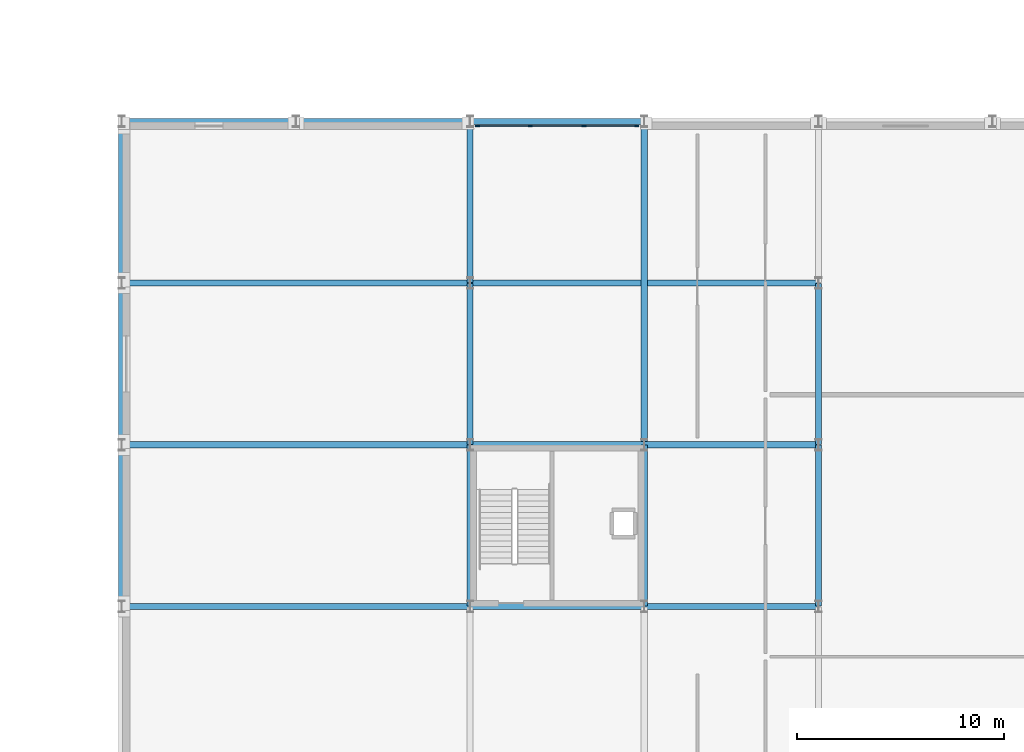
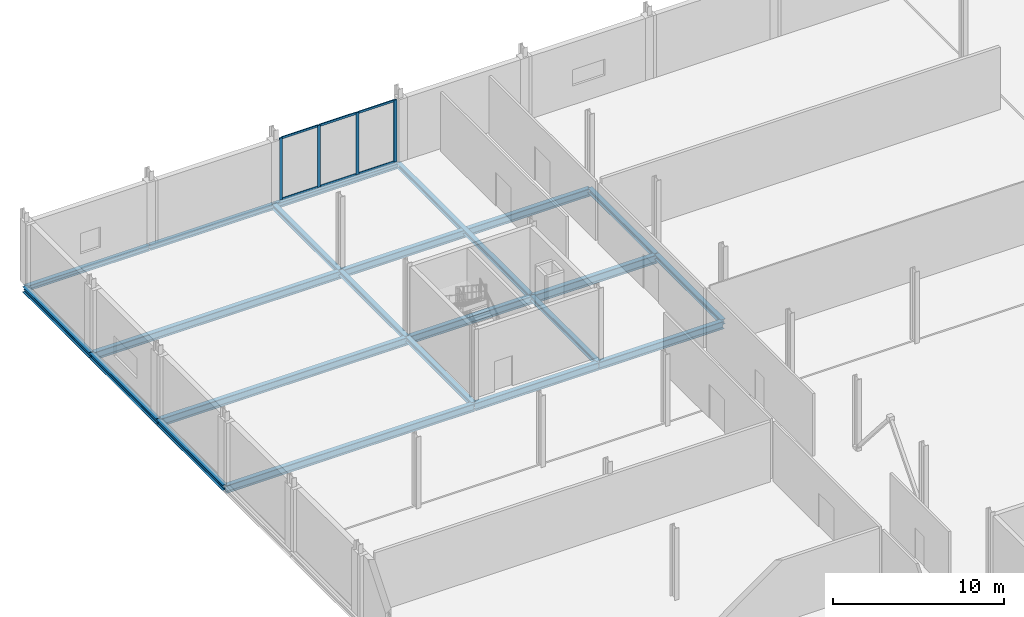
# One storey, part 44 of 105: 21 beams, 10 members, 1 element without a shape of its own.
"""IFC4 building model written with IfcOpenShell, lengths in metres."""

from ifc_helpers import new_model, si_unit, direction, frame, origin, origin_2d, place, context, subcontext, project, spatial, rectangle, i_section, extrude, material, material_profile, profile_set, type_object, element, aggregate, save


model = new_model("IFC4")

# Units and contexts
model_context = context("Model", 3, precision=1e-05, world=origin(), true_north=direction((0.0, 1.0)))
body_context = subcontext(model_context, "Body", "Model", "MODEL_VIEW")
ifc_project = project(units=[si_unit("LENGTHUNIT", "METRE"), si_unit("AREAUNIT", "SQUARE_METRE"), si_unit("VOLUMEUNIT", "CUBIC_METRE"), si_unit("PLANEANGLEUNIT", "RADIAN"), si_unit("MASSUNIT", "GRAM", prefix="KILO")], contexts=[model_context])

# Site, building, storey
site_placement = place(None, origin())
site = spatial("IfcSite", under=ifc_project, at=site_placement, CompositionType="ELEMENT")
building_placement = place(site_placement, origin())
building = spatial("IfcBuilding", under=site, at=building_placement, Name="Nabrawat Pavilion Hospital", CompositionType="ELEMENT")
storey_placement = place(building_placement, frame((0.0, 0.0, 5.10009765625)))
storey = spatial("IfcBuildingStorey", under=building, at=storey_placement, Name="L01", CompositionType="ELEMENT", Elevation=5.10009765625)

# Curtain wall, members
ifc_material_1 = material(Name="Anodised Aluminium", Category="aluminium")
curtain_wall_type = type_object("IfcCurtainWallType", Name="Emergency Concourse Glazed Screen", PredefinedType="USERDEFINED", material=ifc_material_1)
curtain_wall_placement = place(storey_placement, origin())
curtain_wall = element("IfcCurtainWall", 1, at=curtain_wall_placement, inside=storey, type_object=curtain_wall_type, Name="L01 Emergency Concourse Glazed Screen 032", ObjectType="CURTAIN WALL", PredefinedType="USERDEFINED")
ifc_material_profile_1 = material_profile(ifc_material_1, rectangle(XDim=0.070068359375, YDim=0.199951171875, at=origin_2d()), Name="CWM 70x200")
ifc_profile_set_1 = profile_set([ifc_material_profile_1], Name="Anodised Aluminium")
member_type_1 = type_object("IfcMemberType", Name="Emergency Concourse Glazed Screen Mullion CWM 70x200", PredefinedType="MULLION", material=ifc_profile_set_1)
member_1_placement = place(storey_placement, frame((17.155029296875, 116.780029296875, 0.0), z_axis=(0.0, 0.0, 1.0), x_axis=(0.0, 1.0, 0.0)))
member_1 = element("IfcMember", 2, at=member_1_placement, type_object=member_type_1, Name="CW-ED-01 mullion 1", PredefinedType="MULLION", context=body_context, shape_type="SweptSolid", body=[
    extrude(rectangle(XDim=0.070068359375, YDim=0.199951171875, at=origin_2d()), origin(), (0.0, 0.0, 1.0), 4.419921875),
])
member_2_placement = place(storey_placement, frame((19.706787109375, 116.780029296875, 0.0), z_axis=(0.0, 0.0, 1.0), x_axis=(0.0, 1.0, 0.0)))
member_2 = element("IfcMember", 3, at=member_2_placement, type_object=member_type_1, Name="CW-ED-01 mullion 2", PredefinedType="MULLION", context=body_context, shape_type="SweptSolid", body=[
    extrude(rectangle(XDim=0.070068359375, YDim=0.199951171875, at=origin_2d()), origin(), (0.0, 0.0, 1.0), 4.419921875),
])
member_3_placement = place(storey_placement, frame((22.293212890625, 116.780029296875, 0.0), z_axis=(0.0, 0.0, 1.0), x_axis=(0.0, 1.0, 0.0)))
member_3 = element("IfcMember", 4, at=member_3_placement, type_object=member_type_1, Name="CW-ED-01 mullion 3", PredefinedType="MULLION", context=body_context, shape_type="SweptSolid", body=[
    extrude(rectangle(XDim=0.070068359375, YDim=0.199951171875, at=origin_2d()), origin(), (0.0, 0.0, 1.0), 4.419921875),
])
member_4_placement = place(storey_placement, frame((24.844970703125, 116.780029296875, 0.0), z_axis=(0.0, 0.0, 1.0), x_axis=(0.0, 1.0, 0.0)))
member_4 = element("IfcMember", 5, at=member_4_placement, type_object=member_type_1, Name="CW-ED-01 mullion 4", PredefinedType="MULLION", context=body_context, shape_type="SweptSolid", body=[
    extrude(rectangle(XDim=0.070068359375, YDim=0.199951171875, at=origin_2d()), origin(), (0.0, 0.0, 1.0), 4.419921875),
])
ifc_material_profile_2 = material_profile(ifc_material_1, rectangle(XDim=0.070068359375, YDim=0.14990234375, at=origin_2d()), Name="CWT 70x150")
ifc_profile_set_2 = profile_set([ifc_material_profile_2], Name="Anodised Aluminium")
member_type_2 = type_object("IfcMemberType", Name="Emergency Concourse Glazed Screen Transom CWT 70x150", PredefinedType="USERDEFINED", material=ifc_profile_set_2)
member_5_placement = place(storey_placement, frame((17.18994140625, 116.780029296875, 0.034912109375), z_axis=(1.0, 0.0, 0.0), x_axis=(0.0, 1.0, 0.0)))
member_5 = element("IfcMember", 6, at=member_5_placement, type_object=member_type_2, Name="CW-ED-01 transom 1.1", ObjectType="TRANSOM", PredefinedType="USERDEFINED", context=body_context, shape_type="SweptSolid", body=[
    extrude(rectangle(XDim=0.070068359375, YDim=0.14990234375, at=origin_2d()), origin(), (0.0, 0.0, 1.0), 2.481689453125),
])
member_6_placement = place(storey_placement, frame((17.18994140625, 116.780029296875, 4.385009765625), z_axis=(1.0, 0.0, 0.0), x_axis=(0.0, 1.0, 0.0)))
member_6 = element("IfcMember", 7, at=member_6_placement, type_object=member_type_2, Name="CW-ED-01 transom 1.2", ObjectType="TRANSOM", PredefinedType="USERDEFINED", context=body_context, shape_type="SweptSolid", body=[
    extrude(rectangle(XDim=0.070068359375, YDim=0.14990234375, at=origin_2d()), origin(), (0.0, 0.0, 1.0), 2.481689453125),
])
member_7_placement = place(storey_placement, frame((19.74169921875, 116.780029296875, 0.034912109375), z_axis=(1.0, 0.0, 0.0), x_axis=(0.0, 1.0, 0.0)))
member_7 = element("IfcMember", 8, at=member_7_placement, type_object=member_type_2, Name="CW-ED-01 transom 2.1", ObjectType="TRANSOM", PredefinedType="USERDEFINED", context=body_context, shape_type="SweptSolid", body=[
    extrude(rectangle(XDim=0.070068359375, YDim=0.14990234375, at=origin_2d()), origin(), (0.0, 0.0, 1.0), 2.5166015625),
])
member_8_placement = place(storey_placement, frame((19.74169921875, 116.780029296875, 4.385009765625), z_axis=(1.0, 0.0, 0.0), x_axis=(0.0, 1.0, 0.0)))
member_8 = element("IfcMember", 9, at=member_8_placement, type_object=member_type_2, Name="CW-ED-01 transom 2.2", ObjectType="TRANSOM", PredefinedType="USERDEFINED", context=body_context, shape_type="SweptSolid", body=[
    extrude(rectangle(XDim=0.070068359375, YDim=0.14990234375, at=origin_2d()), origin(), (0.0, 0.0, 1.0), 2.5166015625),
])
member_9_placement = place(storey_placement, frame((22.328369140625, 116.780029296875, 0.034912109375), z_axis=(1.0, 0.0, 0.0), x_axis=(0.0, 1.0, 0.0)))
member_9 = element("IfcMember", 10, at=member_9_placement, type_object=member_type_2, Name="CW-ED-01 transom 3.1", ObjectType="TRANSOM", PredefinedType="USERDEFINED", context=body_context, shape_type="SweptSolid", body=[
    extrude(rectangle(XDim=0.070068359375, YDim=0.14990234375, at=origin_2d()), origin(), (0.0, 0.0, 1.0), 2.481689453125),
])
member_10_placement = place(storey_placement, frame((22.328369140625, 116.780029296875, 4.385009765625), z_axis=(1.0, 0.0, 0.0), x_axis=(0.0, 1.0, 0.0)))
member_10 = element("IfcMember", 11, at=member_10_placement, type_object=member_type_2, Name="CW-ED-01 transom 3.2", ObjectType="TRANSOM", PredefinedType="USERDEFINED", context=body_context, shape_type="SweptSolid", body=[
    extrude(rectangle(XDim=0.070068359375, YDim=0.14990234375, at=origin_2d()), origin(), (0.0, 0.0, 1.0), 2.481689453125),
])
aggregate(curtain_wall, [member_1, member_2, member_3, member_4, member_5, member_6, member_7, member_8, member_9, member_10])

# Beams
ifc_material_2 = material(Name="Steel S355", Category="steel")
ifc_material_profile_3 = material_profile(ifc_material_2, i_section(OverallWidth=0.300048828125, OverallDepth=0.389892578125, WebThickness=0.010986328125, FlangeThickness=0.01904296875, FilletRadius=0.027099609375, at=origin_2d()), Name="HEA 400")
ifc_profile_set_3 = profile_set([ifc_material_profile_3], Name="Steel S355")
beam_type_1 = type_object("IfcBeamType", Name="Perimeter Moment Spandrel Beam HEA 400", PredefinedType="SPANDREL", material=ifc_profile_set_3)
beam_1_placement = place(storey_placement, frame((0.0, 93.6201171875, -0.465087890625), z_axis=(0.0, 1.0, 0.0), x_axis=(-1.0, 0.0, 0.0)))
element("IfcBeam", 12, at=beam_1_placement, inside=storey, type_object=beam_type_1, Name="L01 Primary Y Beam 706", PredefinedType="SPANDREL", context=body_context, shape_type="SweptSolid", body=[
    extrude(i_section(OverallWidth=0.300048828125, OverallDepth=0.389892578125, WebThickness=0.010986328125, FlangeThickness=0.01904296875, FilletRadius=0.027099609375, at=origin_2d()), origin(), (0.0, 0.0, 1.0), 7.759765625),
])
for number, where, z_axis, x_axis, name in (
    (13, (0.0, 101.419921875, -0.465087890625), (0.0, 1.0, 0.0), (-1.0, 0.0, 0.0), "L01 Primary Y Beam 707"),
    (14, (0.0, 109.219970703125, -0.465087890625), (0.0, 1.0, 0.0), (-1.0, 0.0, 0.0), "L01 Primary Y Beam 708"),
):
    element("IfcBeam", number, at=place(storey_placement, frame(where, z_axis=z_axis, x_axis=x_axis)), inside=storey, type_object=beam_type_1, Name=name, PredefinedType="SPANDREL", context=body_context, shape_type="SweptSolid", body=[
        extrude(i_section(OverallWidth=0.300048828125, OverallDepth=0.389892578125, WebThickness=0.010986328125, FlangeThickness=0.01904296875, FilletRadius=0.027099609375, at=origin_2d()), origin(), (0.0, 0.0, 1.0), 7.760009765625),
    ])
ifc_material_profile_4 = material_profile(ifc_material_2, i_section(OverallWidth=0.300048828125, OverallDepth=0.550048828125, WebThickness=0.014892578125, FlangeThickness=0.029052734375, FilletRadius=0.027099609375, at=origin_2d()), Name="HEB 550")
ifc_profile_set_4 = profile_set([ifc_material_profile_4], Name="Steel S355")
beam_type_2 = type_object("IfcBeamType", Name="Primary Floor Girder HEB 550", PredefinedType="USERDEFINED", material=ifc_profile_set_4)
beam_2_placement = place(storey_placement, frame((0.02001953125, 93.60009765625, -0.545166015625), z_axis=(1.0, 0.0, 0.0), x_axis=(0.0, 1.0, 0.0)))
element("IfcBeam", 15, at=beam_2_placement, inside=storey, type_object=beam_type_2, Name="L01 Primary X Girder 622", ObjectType="GIRDER", PredefinedType="USERDEFINED", context=body_context, shape_type="SweptSolid", body=[
    extrude(i_section(OverallWidth=0.300048828125, OverallDepth=0.550048828125, WebThickness=0.014892578125, FlangeThickness=0.029052734375, FilletRadius=0.027099609375, at=origin_2d()), origin(), (0.0, 0.0, 1.0), 16.760009765625),
])
beam_3_placement = place(storey_placement, frame((16.820068359375, 93.60009765625, -0.545166015625), z_axis=(1.0, 0.0, 0.0), x_axis=(0.0, 1.0, 0.0)))
element("IfcBeam", 16, at=beam_3_placement, inside=storey, type_object=beam_type_2, Name="L01 Primary X Girder 623", ObjectType="GIRDER", PredefinedType="USERDEFINED", context=body_context, shape_type="SweptSolid", body=[
    extrude(i_section(OverallWidth=0.300048828125, OverallDepth=0.550048828125, WebThickness=0.014892578125, FlangeThickness=0.029052734375, FilletRadius=0.027099609375, at=origin_2d()), origin(), (0.0, 0.0, 1.0), 8.35986328125),
])
beam_4_placement = place(storey_placement, frame((25.219970703125, 93.60009765625, -0.545166015625), z_axis=(1.0, 0.0, 0.0), x_axis=(0.0, 1.0, 0.0)))
element("IfcBeam", 17, at=beam_4_placement, inside=storey, type_object=beam_type_2, Name="L01 Primary X Girder 624", ObjectType="GIRDER", PredefinedType="USERDEFINED", context=body_context, shape_type="SweptSolid", body=[
    extrude(i_section(OverallWidth=0.300048828125, OverallDepth=0.550048828125, WebThickness=0.014892578125, FlangeThickness=0.029052734375, FilletRadius=0.027099609375, at=origin_2d()), origin(), (0.0, 0.0, 1.0), 8.360107421875),
])
beam_5_placement = place(storey_placement, frame((0.02001953125, 101.39990234375, -0.545166015625), z_axis=(1.0, 0.0, 0.0), x_axis=(0.0, 1.0, 0.0)))
element("IfcBeam", 18, at=beam_5_placement, inside=storey, type_object=beam_type_2, Name="L01 Primary X Girder 638", ObjectType="GIRDER", PredefinedType="USERDEFINED", context=body_context, shape_type="SweptSolid", body=[
    extrude(i_section(OverallWidth=0.300048828125, OverallDepth=0.550048828125, WebThickness=0.014892578125, FlangeThickness=0.029052734375, FilletRadius=0.027099609375, at=origin_2d()), origin(), (0.0, 0.0, 1.0), 16.760009765625),
])
beam_6_placement = place(storey_placement, frame((16.820068359375, 101.39990234375, -0.545166015625), z_axis=(1.0, 0.0, 0.0), x_axis=(0.0, 1.0, 0.0)))
element("IfcBeam", 19, at=beam_6_placement, inside=storey, type_object=beam_type_2, Name="L01 Primary X Girder 639", ObjectType="GIRDER", PredefinedType="USERDEFINED", context=body_context, shape_type="SweptSolid", body=[
    extrude(i_section(OverallWidth=0.300048828125, OverallDepth=0.550048828125, WebThickness=0.014892578125, FlangeThickness=0.029052734375, FilletRadius=0.027099609375, at=origin_2d()), origin(), (0.0, 0.0, 1.0), 8.35986328125),
])
for number, where, z_axis, x_axis, name in (
    (20, (0.02001953125, 109.199951171875, -0.545166015625), (1.0, 0.0, 0.0), (0.0, 1.0, 0.0), "L01 Primary X Girder 651"),
    (21, (16.820068359375, 109.199951171875, -0.545166015625), (1.0, 0.0, 0.0), (0.0, 1.0, 0.0), "L01 Primary X Girder 652"),
):
    element("IfcBeam", number, at=place(storey_placement, frame(where, z_axis=z_axis, x_axis=x_axis)), inside=storey, type_object=beam_type_2, Name=name, ObjectType="GIRDER", PredefinedType="USERDEFINED", context=body_context, shape_type="SweptSolid", body=[
        extrude(i_section(OverallWidth=0.300048828125, OverallDepth=0.550048828125, WebThickness=0.014892578125, FlangeThickness=0.029052734375, FilletRadius=0.027099609375, at=origin_2d()), origin(), (0.0, 0.0, 1.0), 16.760009765625),
    ])
ifc_material_profile_5 = material_profile(ifc_material_2, i_section(OverallWidth=0.300048828125, OverallDepth=0.60009765625, WebThickness=0.015380859375, FlangeThickness=0.030029296875, FilletRadius=0.027099609375, at=origin_2d()), Name="HEB 600")
ifc_profile_set_5 = profile_set([ifc_material_profile_5], Name="Steel S355")
beam_type_3 = type_object("IfcBeamType", Name="Primary Long-Span Girder HEB 600", PredefinedType="USERDEFINED", material=ifc_profile_set_5)
beam_7_placement = place(storey_placement, frame((25.219970703125, 101.39990234375, -0.570068359375), z_axis=(1.0, 0.0, 0.0), x_axis=(0.0, 1.0, 0.0)))
element("IfcBeam", 22, at=beam_7_placement, inside=storey, type_object=beam_type_3, Name="L01 Primary X Girder 640", ObjectType="GIRDER", PredefinedType="USERDEFINED", context=body_context, shape_type="SweptSolid", body=[
    extrude(i_section(OverallWidth=0.300048828125, OverallDepth=0.60009765625, WebThickness=0.015380859375, FlangeThickness=0.030029296875, FilletRadius=0.027099609375, at=origin_2d()), origin(), (0.0, 0.0, 1.0), 8.360107421875),
])
ifc_material_profile_6 = material_profile(ifc_material_2, i_section(OverallWidth=0.300048828125, OverallDepth=0.360107421875, WebThickness=0.012451171875, FlangeThickness=0.0224609375, FilletRadius=0.027099609375, at=origin_2d()), Name="HEB 360")
ifc_profile_set_6 = profile_set([ifc_material_profile_6], Name="Steel S355")
beam_type_4 = type_object("IfcBeamType", Name="Surgical Perimeter Spandrel HEB 360", PredefinedType="SPANDREL", material=ifc_profile_set_6)
beam_8_placement = place(storey_placement, frame((0.02001953125, 117.0, -0.4501953125), z_axis=(1.0, 0.0, 0.0), x_axis=(0.0, 1.0, 0.0)))
element("IfcBeam", 23, at=beam_8_placement, inside=storey, type_object=beam_type_4, Name="L01 Primary X Girder 663", PredefinedType="SPANDREL", context=body_context, shape_type="SweptSolid", body=[
    extrude(i_section(OverallWidth=0.300048828125, OverallDepth=0.360107421875, WebThickness=0.012451171875, FlangeThickness=0.0224609375, FilletRadius=0.027099609375, at=origin_2d()), origin(), (0.0, 0.0, 1.0), 8.35986328125),
])
beam_9_placement = place(storey_placement, frame((8.419921875, 117.0, -0.4501953125), z_axis=(1.0, 0.0, 0.0), x_axis=(0.0, 1.0, 0.0)))
element("IfcBeam", 24, at=beam_9_placement, inside=storey, type_object=beam_type_4, Name="L01 Primary X Girder 664", PredefinedType="SPANDREL", context=body_context, shape_type="SweptSolid", body=[
    extrude(i_section(OverallWidth=0.300048828125, OverallDepth=0.360107421875, WebThickness=0.012451171875, FlangeThickness=0.0224609375, FilletRadius=0.027099609375, at=origin_2d()), origin(), (0.0, 0.0, 1.0), 8.360107421875),
])
beam_10_placement = place(storey_placement, frame((16.820068359375, 117.0, -0.4501953125), z_axis=(1.0, 0.0, 0.0), x_axis=(0.0, 1.0, 0.0)))
element("IfcBeam", 25, at=beam_10_placement, inside=storey, type_object=beam_type_4, Name="L01 Primary X Girder 665", PredefinedType="SPANDREL", context=body_context, shape_type="SweptSolid", body=[
    extrude(i_section(OverallWidth=0.300048828125, OverallDepth=0.360107421875, WebThickness=0.012451171875, FlangeThickness=0.0224609375, FilletRadius=0.027099609375, at=origin_2d()), origin(), (0.0, 0.0, 1.0), 8.35986328125),
])
ifc_material_profile_7 = material_profile(ifc_material_2, i_section(OverallWidth=0.300048828125, OverallDepth=0.35009765625, WebThickness=0.009521484375, FlangeThickness=0.017578125, FilletRadius=0.027099609375, at=origin_2d()), Name="HEA 360")
ifc_profile_set_7 = profile_set([ifc_material_profile_7], Name="Steel S355")
beam_type_5 = type_object("IfcBeamType", Name="Surgical Stiffened Beam HEA 360", PredefinedType="BEAM", material=ifc_profile_set_7)
beam_11_placement = place(storey_placement, frame((16.800048828125, 93.6201171875, -0.445068359375), z_axis=(0.0, 1.0, 0.0), x_axis=(-1.0, 0.0, 0.0)))
element("IfcBeam", 26, at=beam_11_placement, inside=storey, type_object=beam_type_5, Name="L01 Primary Y Beam 721", PredefinedType="BEAM", context=body_context, shape_type="SweptSolid", body=[
    extrude(i_section(OverallWidth=0.300048828125, OverallDepth=0.35009765625, WebThickness=0.009521484375, FlangeThickness=0.017578125, FilletRadius=0.027099609375, at=origin_2d()), origin(), (0.0, 0.0, 1.0), 7.759765625),
])
for number, where, z_axis, x_axis, name in (
    (27, (16.800048828125, 101.419921875, -0.445068359375), (0.0, 1.0, 0.0), (-1.0, 0.0, 0.0), "L01 Primary Y Beam 722"),
    (28, (16.800048828125, 109.219970703125, -0.445068359375), (0.0, 1.0, 0.0), (-1.0, 0.0, 0.0), "L01 Primary Y Beam 723"),
):
    element("IfcBeam", number, at=place(storey_placement, frame(where, z_axis=z_axis, x_axis=x_axis)), inside=storey, type_object=beam_type_5, Name=name, PredefinedType="BEAM", context=body_context, shape_type="SweptSolid", body=[
        extrude(i_section(OverallWidth=0.300048828125, OverallDepth=0.35009765625, WebThickness=0.009521484375, FlangeThickness=0.017578125, FilletRadius=0.027099609375, at=origin_2d()), origin(), (0.0, 0.0, 1.0), 7.760009765625),
    ])
beam_12_placement = place(storey_placement, frame((25.199951171875, 93.6201171875, -0.445068359375), z_axis=(0.0, 1.0, 0.0), x_axis=(-1.0, 0.0, 0.0)))
element("IfcBeam", 29, at=beam_12_placement, inside=storey, type_object=beam_type_5, Name="L01 Primary Y Beam 728", PredefinedType="BEAM", context=body_context, shape_type="SweptSolid", body=[
    extrude(i_section(OverallWidth=0.300048828125, OverallDepth=0.35009765625, WebThickness=0.009521484375, FlangeThickness=0.017578125, FilletRadius=0.027099609375, at=origin_2d()), origin(), (0.0, 0.0, 1.0), 7.759765625),
])
beam_13_placement = place(storey_placement, frame((25.199951171875, 101.419921875, -0.445068359375), z_axis=(0.0, 1.0, 0.0), x_axis=(-1.0, 0.0, 0.0)))
element("IfcBeam", 30, at=beam_13_placement, inside=storey, type_object=beam_type_5, Name="L01 Primary Y Beam 729", PredefinedType="BEAM", context=body_context, shape_type="SweptSolid", body=[
    extrude(i_section(OverallWidth=0.300048828125, OverallDepth=0.35009765625, WebThickness=0.009521484375, FlangeThickness=0.017578125, FilletRadius=0.027099609375, at=origin_2d()), origin(), (0.0, 0.0, 1.0), 15.56005859375),
])
beam_14_placement = place(storey_placement, frame((33.60009765625, 93.6201171875, -0.445068359375), z_axis=(0.0, 1.0, 0.0), x_axis=(-1.0, 0.0, 0.0)))
element("IfcBeam", 31, at=beam_14_placement, inside=storey, type_object=beam_type_5, Name="L01 Primary Y Beam 742", PredefinedType="BEAM", context=body_context, shape_type="SweptSolid", body=[
    extrude(i_section(OverallWidth=0.300048828125, OverallDepth=0.35009765625, WebThickness=0.009521484375, FlangeThickness=0.017578125, FilletRadius=0.027099609375, at=origin_2d()), origin(), (0.0, 0.0, 1.0), 7.759765625),
])
beam_15_placement = place(storey_placement, frame((33.60009765625, 101.419921875, -0.445068359375), z_axis=(0.0, 1.0, 0.0), x_axis=(-1.0, 0.0, 0.0)))
element("IfcBeam", 32, at=beam_15_placement, inside=storey, type_object=beam_type_5, Name="L01 Primary Y Beam 743", PredefinedType="BEAM", context=body_context, shape_type="SweptSolid", body=[
    extrude(i_section(OverallWidth=0.300048828125, OverallDepth=0.35009765625, WebThickness=0.009521484375, FlangeThickness=0.017578125, FilletRadius=0.027099609375, at=origin_2d()), origin(), (0.0, 0.0, 1.0), 7.760009765625),
])

save(model, "model.ifc")
